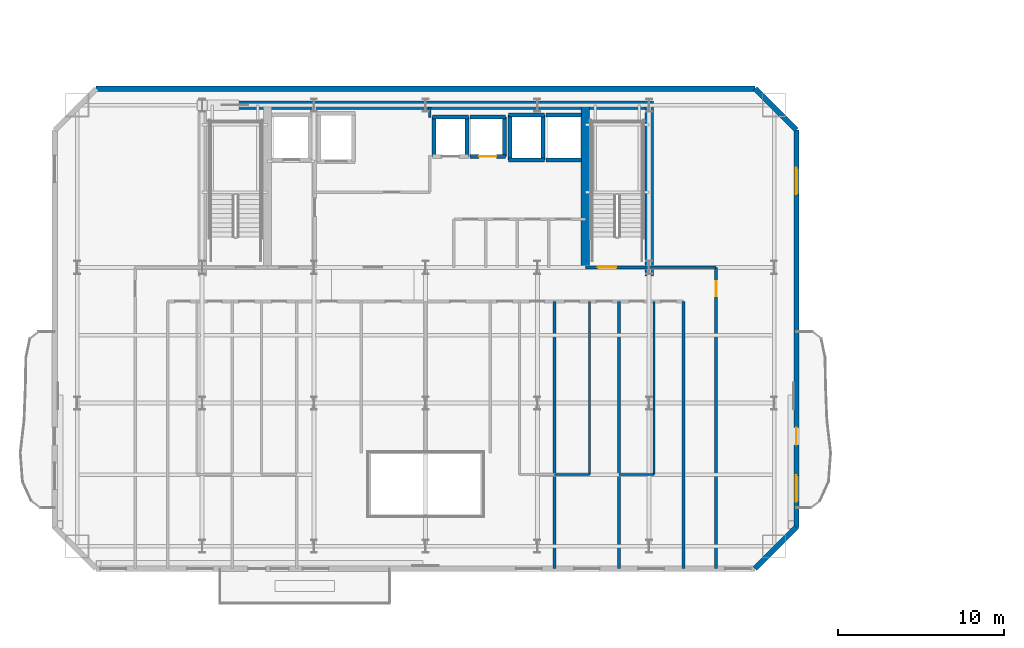
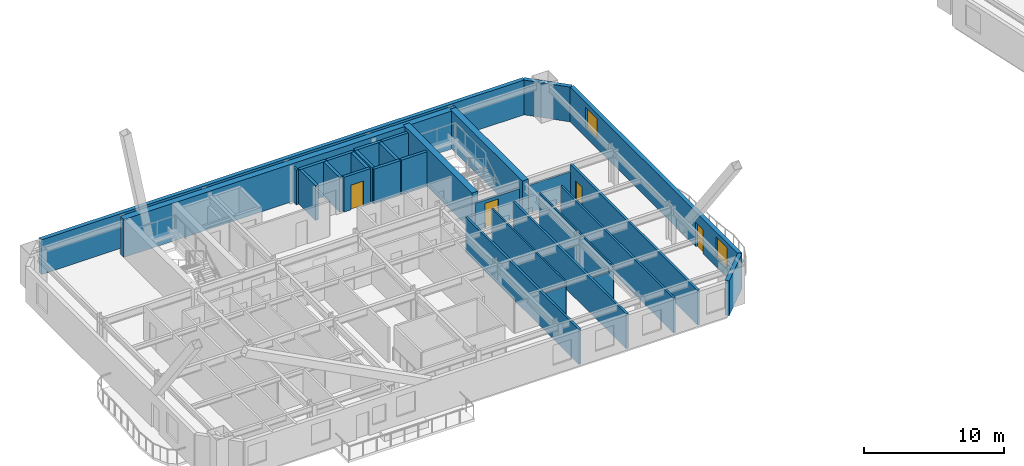
# One storey, part 7 of 14: 30 walls, 4 doors, 2 windows, 6 openings.
"""IFC4 building model written with IfcOpenShell, lengths in metres."""

from ifc_helpers import new_model, si_unit, direction, frame, frame_2d, origin, place, context, subcontext, project, spatial, rectangle, extrude, material, layer, layer_set, type_object, element, fill, save


model = new_model("IFC4")

# Units and contexts
model_context = context("Model", 3, precision=1e-05, world=origin(), true_north=direction((0.0, 1.0)))
body_context = subcontext(model_context, "Body", "Model", "MODEL_VIEW")
ifc_project = project(units=[si_unit("LENGTHUNIT", "METRE"), si_unit("AREAUNIT", "SQUARE_METRE"), si_unit("VOLUMEUNIT", "CUBIC_METRE"), si_unit("PLANEANGLEUNIT", "RADIAN"), si_unit("MASSUNIT", "GRAM", prefix="KILO")], contexts=[model_context])

# Site, building, storey
site_placement = place(None, origin())
site = spatial("IfcSite", under=ifc_project, at=site_placement, CompositionType="ELEMENT")
building_placement = place(site_placement, origin())
building = spatial("IfcBuilding", under=site, at=building_placement, Name="Haevon Station Towers", CompositionType="ELEMENT")
storey_placement = place(building_placement, frame((0.0, 0.0, 123.0)))
storey = spatial("IfcBuildingStorey", under=building, at=storey_placement, Name="L33", CompositionType="ELEMENT", Elevation=123.0)

# Wall, opening, door
ifc_material_1 = material(Name="Gypsum board on steel stud", Category="steel")
ifc_layer_1 = layer(ifc_material_1, 0.179931640625)
ifc_layer_set_1 = layer_set([ifc_layer_1], Name="Gypsum board on steel stud")
wall_type_1 = type_object("IfcWallType", Name="WL-ACU180", PredefinedType="PARTITIONING", material=ifc_layer_set_1)
wall_1_placement = place(storey_placement, frame((55.050048828125, 20.0, 0.0), z_axis=(0.0, 0.0, 1.0), x_axis=(0.0, 1.0, 0.0)))
wall_1 = element("IfcWall", 1, at=wall_1_placement, inside=storey, type_object=wall_type_1, Name="WL-T1PT-L33-06", PredefinedType="PARTITIONING", context=body_context, shape_type="SweptSolid", body=[
    extrude(rectangle(XDim=18.199951171875, YDim=0.179931640625, at=frame_2d((9.10009765625, 0.0))), origin(), (0.0, 0.0, 1.0), 3.030029296875),
])
opening_1_placement = place(wall_1_placement, frame((16.469970703125, 0.0, 0.0)))
opening_1 = element("IfcOpeningElement", 2, at=opening_1_placement, cuts=wall_1, Name="Opening DR-WL-T1PT-L33-06-01", PredefinedType="OPENING", context=body_context, shape_type="SweptSolid", body=[
    extrude(rectangle(XDim=0.89990234375, YDim=2.050048828125, at=frame_2d((0.449951171875, 1.02490234375))), frame((0.0, 0.099853515625, 0.0), z_axis=(0.0, -1.0, 0.0), x_axis=(1.0, 0.0, 0.0)), (0.0, 0.0, 1.0), 0.199951171875),
])
ifc_material_2 = material(Name="Engineered oak timber", Category="wood")
door_type_1 = type_object("IfcDoorType", Name="DR-INT-900", OperationType="NOTDEFINED", PredefinedType="DOOR", material=ifc_material_2)
door_1_placement = place(opening_1_placement, origin())
door_1 = element("IfcDoor", 3, at=door_1_placement, inside=storey, type_object=door_type_1, Name="L33 Tower 1 Room Door 6-1", OperationType="SINGLE_SWING_LEFT", OverallHeight=2.050048828125, OverallWidth=0.89990234375, PredefinedType="DOOR", context=body_context, shape_type="SweptSolid", body=[
    extrude(rectangle(XDim=0.89990234375, YDim=2.050048828125, at=frame_2d((0.449951171875, 1.02490234375))), frame((0.0, 0.02490234375, 0.0), z_axis=(0.0, -1.0, 0.0), x_axis=(1.0, 0.0, 0.0)), (0.0, 0.0, 1.0), 0.050048828125),
])
fill(opening_1, door_1)

# Walls
for number, where, z_axis, x_axis, name in (
    (4, (45.2900390625, 20.0, 0.0), (0.0, 0.0, 1.0), (0.0, 1.0, 0.0), "WL-T1PT-L33-24"),
    (5, (49.18505859375, 20.0, 0.0), (0.0, 0.0, 1.0), (0.0, 1.0, 0.0), "WL-T1PT-L33-27"),
):
    element("IfcWall", number, at=place(storey_placement, frame(where, z_axis=z_axis, x_axis=x_axis)), inside=storey, type_object=wall_type_1, Name=name, PredefinedType="PARTITIONING", context=body_context, shape_type="SweptSolid", body=[
        extrude(rectangle(XDim=16.14990234375, YDim=0.179931640625, at=frame_2d((8.074951171875, 0.0))), origin(), (0.0, 0.0, 1.0), 3.030029296875),
    ])

# Wall, opening, door
ifc_layer_2 = layer(ifc_material_1, 0.199951171875)
ifc_layer_set_2 = layer_set([ifc_layer_2], Name="Gypsum board on steel stud")
wall_type_2 = type_object("IfcWallType", Name="WL-COR200", PredefinedType="PARTITIONING", material=ifc_layer_set_2)
wall_2_placement = place(storey_placement, frame((47.14990234375, 38.199951171875, 0.0), z_axis=(0.0, 0.0, 1.0), x_axis=(1.0, 0.0, 0.0)))
wall_2 = element("IfcWall", 6, at=wall_2_placement, inside=storey, type_object=wall_type_2, Name="WL-ST-ST2-L33", PredefinedType="PARTITIONING", context=body_context, shape_type="SweptSolid", body=[
    extrude(rectangle(XDim=3.85009765625, YDim=0.199951171875, at=frame_2d((1.925048828125, 0.0))), origin(), (0.0, 0.0, 1.0), 2.3798828125),
])
opening_2_placement = place(wall_2_placement, frame((0.75, 0.0, 0.0)))
opening_2 = element("IfcOpeningElement", 7, at=opening_2_placement, cuts=wall_2, Name="Opening DR-ST-ST2-L33", PredefinedType="OPENING", context=body_context, shape_type="SweptSolid", body=[
    extrude(rectangle(XDim=1.1201171875, YDim=2.10009765625, at=frame_2d((0.56005859375, 1.050048828125))), frame((0.0, 0.10986328125, 0.0), z_axis=(0.0, -1.0, 0.0), x_axis=(1.0, 0.0, 0.0)), (0.0, 0.0, 1.0), 0.219970703125),
])
door_type_2 = type_object("IfcDoorType", Name="DR-ST-1120", OperationType="NOTDEFINED", PredefinedType="DOOR", material=ifc_material_2)
door_2_placement = place(opening_2_placement, origin())
door_2 = element("IfcDoor", 8, at=door_2_placement, inside=storey, type_object=door_type_2, Name="L33 Escape Stair ST2 Fire Door", OperationType="SINGLE_SWING_RIGHT", OverallHeight=2.10009765625, OverallWidth=1.1201171875, PredefinedType="DOOR", context=body_context, shape_type="SweptSolid", body=[
    extrude(rectangle(XDim=1.1201171875, YDim=2.10009765625, at=frame_2d((0.56005859375, 1.050048828125))), frame((0.0, 0.02490234375, 0.0), z_axis=(0.0, -1.0, 0.0), x_axis=(1.0, 0.0, 0.0)), (0.0, 0.0, 1.0), 0.050048828125),
])
fill(opening_2, door_2)

# Walls
ifc_material_3 = material(Name="Concrete C60/75", Category="concrete")
ifc_layer_3 = layer(ifc_material_3, 0.5)
ifc_layer_set_3 = layer_set([ifc_layer_3], Name="Concrete C60/75")
wall_type_3 = type_object("IfcWallType", Name="WL-CR500", PredefinedType="SHEAR", material=ifc_layer_set_3)
wall_3_placement = place(storey_placement, frame((23.75, 48.0, 0.0), z_axis=(0.0, 0.0, 1.0), x_axis=(1.0, 0.0, 0.0)))
element("IfcWall", 9, at=wall_3_placement, inside=storey, type_object=wall_type_3, Name="WL-T1CR-L33-N", PredefinedType="SHEAR", context=body_context, shape_type="SweptSolid", body=[
    extrude(rectangle(XDim=27.5, YDim=0.5, at=frame_2d((13.75, 0.0))), origin(), (0.0, 0.0, 1.0), 3.300048828125),
])
wall_4_placement = place(storey_placement, frame((51.0, 37.679931640625, 0.0), z_axis=(0.0, 0.0, 1.0), x_axis=(0.0, 1.0, 0.0)))
element("IfcWall", 10, at=wall_4_placement, inside=storey, type_object=wall_type_3, Name="WL-T1CR-L33-E", PredefinedType="SHEAR", context=body_context, shape_type="SweptSolid", body=[
    extrude(rectangle(XDim=10.320068359375, YDim=0.5, at=frame_2d((5.16015625, 0.0))), origin(), (0.0, 0.0, 1.0), 3.300048828125),
])
wall_5_placement = place(storey_placement, frame((47.14990234375, 38.199951171875, 0.0), z_axis=(0.0, 0.0, 1.0), x_axis=(0.0, 1.0, 0.0)))
element("IfcWall", 11, at=wall_5_placement, inside=storey, type_object=wall_type_3, Name="WL-T1CR-L33-M2", PredefinedType="SHEAR", context=body_context, shape_type="SweptSolid", body=[
    extrude(rectangle(XDim=9.800048828125, YDim=0.5, at=frame_2d((4.89990234375, 0.0))), origin(), (0.0, 0.0, 1.0), 3.300048828125),
])
ifc_material_4 = material(Name="Precast concrete C45/55", Category="concrete")
ifc_layer_4 = layer(ifc_material_4, 0.320068359375)
ifc_layer_set_4 = layer_set([ifc_layer_4], Name="Precast concrete C45/55")
wall_type_4 = type_object("IfcWallType", Name="WL-EXT-PIER320", PredefinedType="SOLIDWALL", material=ifc_layer_set_4)
wall_6_placement = place(storey_placement, frame((17.60009765625, 49.0, 0.0), z_axis=(0.0, 0.0, 1.0), x_axis=(1.0, 0.0, 0.0)))
element("IfcWall", 12, at=wall_6_placement, inside=storey, type_object=wall_type_4, Name="WL-T1-L33-N", PredefinedType="SOLIDWALL", context=body_context, shape_type="SweptSolid", body=[
    extrude(rectangle(XDim=39.7998046875, YDim=0.320068359375, at=frame_2d((19.89990234375, 0.0))), origin(), (0.0, 0.0, 1.0), 3.030029296875),
])
wall_7_placement = place(storey_placement, frame((57.39990234375, 49.0, 0.0), z_axis=(0.0, 0.0, 1.0), x_axis=(0.707106781187, -0.707106781187, 0.0)))
element("IfcWall", 13, at=wall_7_placement, inside=storey, type_object=wall_type_4, Name="WL-T1-L33-NEC", PredefinedType="SOLIDWALL", context=body_context, shape_type="SweptSolid", body=[
    extrude(rectangle(XDim=3.53564453125, YDim=0.320068359375, at=frame_2d((1.767822265625, 0.0))), origin(), (0.0, 0.0, 1.0), 3.030029296875),
])

# Wall, openings, door, windows
wall_8_placement = place(storey_placement, frame((59.89990234375, 46.5, 0.0), z_axis=(0.0, 0.0, 1.0), x_axis=(0.0, -1.0, 0.0)))
wall_8 = element("IfcWall", 14, at=wall_8_placement, inside=storey, type_object=wall_type_4, Name="WL-T1-L33-E", PredefinedType="SOLIDWALL", context=body_context, shape_type="SweptSolid", body=[
    extrude(rectangle(XDim=24.0, YDim=0.320068359375, at=frame_2d((12.0, 0.0))), origin(), (0.0, 0.0, 1.0), 3.030029296875),
])
opening_3_placement = place(wall_8_placement, frame((17.97509765625, 0.0, 0.0)))
opening_3 = element("IfcOpeningElement", 15, at=opening_3_placement, cuts=wall_8, Name="Opening DR-T1-SCAL-L33-E", PredefinedType="OPENING", context=body_context, shape_type="SweptSolid", body=[
    extrude(rectangle(XDim=1.050048828125, YDim=2.10009765625, at=frame_2d((0.52490234375, 1.050048828125))), frame((0.0, 0.169921875, 0.0), z_axis=(0.0, -1.0, 0.0), x_axis=(1.0, 0.0, 0.0)), (0.0, 0.0, 1.0), 0.340087890625),
])
opening_4_placement = place(wall_8_placement, frame((2.28564453125, 0.0, 0.800048828125)))
opening_4 = element("IfcOpeningElement", 16, at=opening_4_placement, cuts=wall_8, Name="Opening WN-END160", PredefinedType="OPENING", context=body_context, shape_type="SweptSolid", body=[
    extrude(rectangle(XDim=1.60009765625, YDim=1.800048828125, at=frame_2d((0.800048828125, 0.89990234375))), frame((0.0, 0.169921875, 0.0), z_axis=(0.0, -1.0, 0.0), x_axis=(1.0, 0.0, 0.0)), (0.0, 0.0, 1.0), 0.340087890625),
])
opening_5_placement = place(wall_8_placement, frame((20.857177734375, 0.0, 0.800048828125)))
opening_5 = element("IfcOpeningElement", 17, at=opening_5_placement, cuts=wall_8, Name="Opening WN-END160", PredefinedType="OPENING", context=body_context, shape_type="SweptSolid", body=[
    extrude(rectangle(XDim=1.60009765625, YDim=1.800048828125, at=frame_2d((0.800048828125, 0.89990234375))), frame((0.0, 0.169921875, 0.0), z_axis=(0.0, -1.0, 0.0), x_axis=(1.0, 0.0, 0.0)), (0.0, 0.0, 1.0), 0.340087890625),
])
ifc_material_5 = material(Name="Thermally broken anodised aluminium and laminated safety glass", Category="aluminium")
door_type_3 = type_object("IfcDoorType", Name="DR-BALC-1050", OperationType="NOTDEFINED", PredefinedType="DOOR", material=ifc_material_5)
door_3_placement = place(opening_3_placement, origin())
door_3 = element("IfcDoor", 18, at=door_3_placement, inside=storey, type_object=door_type_3, Name="Tower 1 L33 East Scalloped Balcony Door", OperationType="SINGLE_SWING_LEFT", OverallHeight=2.10009765625, OverallWidth=1.050048828125, PredefinedType="DOOR", context=body_context, shape_type="SweptSolid", body=[
    extrude(rectangle(XDim=1.050048828125, YDim=2.10009765625, at=frame_2d((0.52490234375, 1.050048828125))), frame((0.0, 0.02490234375, 0.0), z_axis=(0.0, -1.0, 0.0), x_axis=(1.0, 0.0, 0.0)), (0.0, 0.0, 1.0), 0.050048828125),
])
fill(opening_3, door_3)
ifc_material_6 = material(Name="Low-E triple glazing in thermally broken aluminium", Category="aluminium")
window_type = type_object("IfcWindowType", Name="WN-END160", PartitioningType="SINGLE_PANEL", PredefinedType="WINDOW", material=ifc_material_6)
window_1_placement = place(opening_4_placement, origin())
window_1 = element("IfcWindow", 19, at=window_1_placement, inside=storey, type_object=window_type, Name="WN-T1-L33-E01", OverallHeight=1.800048828125, OverallWidth=1.60009765625, PartitioningType="SINGLE_PANEL", PredefinedType="WINDOW", context=body_context, shape_type="SweptSolid", body=[
    extrude(rectangle(XDim=1.60009765625, YDim=1.800048828125, at=frame_2d((0.800048828125, 0.89990234375))), frame((0.0, 0.030029296875, 0.0), z_axis=(0.0, -1.0, 0.0), x_axis=(1.0, 0.0, 0.0)), (0.0, 0.0, 1.0), 0.06005859375),
])
fill(opening_4, window_1)
window_2_placement = place(opening_5_placement, origin())
window_2 = element("IfcWindow", 20, at=window_2_placement, inside=storey, type_object=window_type, Name="WN-T1-L33-E02", OverallHeight=1.800048828125, OverallWidth=1.60009765625, PartitioningType="SINGLE_PANEL", PredefinedType="WINDOW", context=body_context, shape_type="SweptSolid", body=[
    extrude(rectangle(XDim=1.60009765625, YDim=1.800048828125, at=frame_2d((0.800048828125, 0.89990234375))), frame((0.0, 0.030029296875, 0.0), z_axis=(0.0, -1.0, 0.0), x_axis=(1.0, 0.0, 0.0)), (0.0, 0.0, 1.0), 0.06005859375),
])
fill(opening_5, window_2)

# Walls
wall_9_placement = place(storey_placement, frame((59.89990234375, 22.5, 0.0), z_axis=(0.0, 0.0, 1.0), x_axis=(-0.707106781187, -0.707106781187, 0.0)))
element("IfcWall", 21, at=wall_9_placement, inside=storey, type_object=wall_type_4, Name="WL-T1-L33-SEC", PredefinedType="SOLIDWALL", context=body_context, shape_type="SweptSolid", body=[
    extrude(rectangle(XDim=3.53564453125, YDim=0.320068359375, at=frame_2d((1.767822265625, 0.0))), origin(), (0.0, 0.0, 1.0), 3.030029296875),
])
ifc_layer_5 = layer(ifc_material_1, 0.125)
ifc_layer_set_5 = layer_set([ifc_layer_5], Name="Gypsum board on steel stud")
wall_type_5 = type_object("IfcWallType", Name="WL-PRT125", PredefinedType="PARTITIONING", material=ifc_layer_set_5)
wall_10_placement = place(storey_placement, frame((45.2900390625, 25.697021484375, 0.0), z_axis=(0.0, 0.0, 1.0), x_axis=(1.0, 0.0, 0.0)))
element("IfcWall", 22, at=wall_10_placement, inside=storey, type_object=wall_type_5, Name="WL-T1PT-L33-25", PredefinedType="PARTITIONING", context=body_context, shape_type="SweptSolid", body=[
    extrude(rectangle(XDim=2.114990234375, YDim=0.125, at=frame_2d((1.0576171875, 0.0))), origin(), (0.0, 0.0, 1.0), 2.6298828125),
])
wall_11_placement = place(storey_placement, frame((47.405029296875, 25.697021484375, 0.0), z_axis=(0.0, 0.0, 1.0), x_axis=(0.0, 1.0, 0.0)))
element("IfcWall", 23, at=wall_11_placement, inside=storey, type_object=wall_type_5, Name="WL-T1PT-L33-26", PredefinedType="PARTITIONING", context=body_context, shape_type="SweptSolid", body=[
    extrude(rectangle(XDim=10.452880859375, YDim=0.125, at=frame_2d((5.2265625, 0.0))), origin(), (0.0, 0.0, 1.0), 3.030029296875),
])
wall_12_placement = place(storey_placement, frame((49.18505859375, 25.697021484375, 0.0), z_axis=(0.0, 0.0, 1.0), x_axis=(1.0, 0.0, 0.0)))
element("IfcWall", 24, at=wall_12_placement, inside=storey, type_object=wall_type_5, Name="WL-T1PT-L33-28", PredefinedType="PARTITIONING", context=body_context, shape_type="SweptSolid", body=[
    extrude(rectangle(XDim=2.114990234375, YDim=0.125, at=frame_2d((1.0576171875, 0.0))), origin(), (0.0, 0.0, 1.0), 2.6298828125),
])
wall_13_placement = place(storey_placement, frame((51.300048828125, 25.697021484375, 0.0), z_axis=(0.0, 0.0, 1.0), x_axis=(0.0, 1.0, 0.0)))
element("IfcWall", 25, at=wall_13_placement, inside=storey, type_object=wall_type_5, Name="WL-T1PT-L33-29", PredefinedType="PARTITIONING", context=body_context, shape_type="SweptSolid", body=[
    extrude(rectangle(XDim=10.452880859375, YDim=0.125, at=frame_2d((5.2265625, 0.0))), origin(), (0.0, 0.0, 1.0), 3.030029296875),
])
ifc_layer_6 = layer(ifc_material_1, 0.159912109375)
ifc_layer_set_6 = layer_set([ifc_layer_6], Name="Gypsum board on steel stud")
wall_type_6 = type_object("IfcWallType", Name="WL-PRT160", PredefinedType="PARTITIONING", material=ifc_layer_set_6)
wall_14_placement = place(storey_placement, frame((37.75, 47.25, 0.0), z_axis=(0.0, 0.0, 1.0), x_axis=(0.0, 1.0, 0.0)))
element("IfcWall", 26, at=wall_14_placement, inside=storey, type_object=wall_type_6, Name="WL-T1CW-L33-03", PredefinedType="PARTITIONING", context=body_context, shape_type="SweptSolid", body=[
    extrude(rectangle(XDim=0.64990234375, YDim=0.159912109375, at=frame_2d((0.324951171875, 0.0))), origin(), (0.0, 0.0, 1.0), 3.030029296875),
])
wall_15_placement = place(storey_placement, frame((53.080078125, 20.0, 0.0), z_axis=(0.0, 0.0, 1.0), x_axis=(0.0, 1.0, 0.0)))
element("IfcWall", 27, at=wall_15_placement, inside=storey, type_object=wall_type_6, Name="WL-T1PT-L33-02", PredefinedType="PARTITIONING", context=body_context, shape_type="SweptSolid", body=[
    extrude(rectangle(XDim=16.14990234375, YDim=0.159912109375, at=frame_2d((8.074951171875, 0.0))), origin(), (0.0, 0.0, 1.0), 3.030029296875),
])
wall_16_placement = place(storey_placement, frame((51.0, 38.199951171875, 0.0), z_axis=(0.0, 0.0, 1.0), x_axis=(1.0, 0.0, 0.0)))
element("IfcWall", 28, at=wall_16_placement, inside=storey, type_object=wall_type_6, Name="WL-T1PT-L33-04", PredefinedType="PARTITIONING", context=body_context, shape_type="SweptSolid", body=[
    extrude(rectangle(XDim=4.050048828125, YDim=0.159912109375, at=frame_2d((2.02490234375, 0.0))), origin(), (0.0, 0.0, 1.0), 2.3798828125),
])
ifc_material_7 = material(Name="Concrete C40/50", Category="concrete")
ifc_layer_7 = layer(ifc_material_7, 0.239990234375)
ifc_layer_set_7 = layer_set([ifc_layer_7], Name="Concrete C40/50")
wall_type_7 = type_object("IfcWallType", Name="WL-SHF240", PredefinedType="PARTITIONING", material=ifc_layer_set_7)
wall_17_placement = place(storey_placement, frame((37.919921875, 47.300048828125, 0.0), z_axis=(0.0, 0.0, 1.0), x_axis=(1.0, 0.0, 0.0)))
element("IfcWall", 29, at=wall_17_placement, inside=storey, type_object=wall_type_7, Name="WL-SHF-PL3-L33-N", PredefinedType="PARTITIONING", context=body_context, shape_type="SweptSolid", body=[
    extrude(rectangle(XDim=2.16015625, YDim=0.239990234375, at=frame_2d((1.080078125, 0.0))), origin(), (0.0, 0.0, 1.0), 3.030029296875),
])
for number, where, z_axis, x_axis, name in (
    (30, (38.0, 44.89990234375, 0.0), (0.0, 0.0, 1.0), (0.0, 1.0, 0.0), "WL-SHF-PL3-L33-W"),
    (31, (40.0, 44.89990234375, 0.0), (0.0, 0.0, 1.0), (0.0, 1.0, 0.0), "WL-SHF-PL3-L33-E"),
):
    element("IfcWall", number, at=place(storey_placement, frame(where, z_axis=z_axis, x_axis=x_axis)), inside=storey, type_object=wall_type_7, Name=name, PredefinedType="PARTITIONING", context=body_context, shape_type="SweptSolid", body=[
        extrude(rectangle(XDim=2.400146484375, YDim=0.239990234375, at=frame_2d((1.2001953125, 0.0))), origin(), (0.0, 0.0, 1.0), 3.030029296875),
    ])

# Wall, opening, door
wall_18_placement = place(storey_placement, frame((40.169921875, 44.89990234375, 0.0), z_axis=(0.0, 0.0, 1.0), x_axis=(1.0, 0.0, 0.0)))
wall_18 = element("IfcWall", 32, at=wall_18_placement, inside=storey, type_object=wall_type_7, Name="WL-SHF-PL4-L33", PredefinedType="PARTITIONING", context=body_context, shape_type="SweptSolid", body=[
    extrude(rectangle(XDim=2.16015625, YDim=0.239990234375, at=frame_2d((1.080078125, 0.0))), origin(), (0.0, 0.0, 1.0), 3.030029296875),
])
opening_6_placement = place(wall_18_placement, frame((0.554931640625, 0.0, 0.0)))
opening_6 = element("IfcOpeningElement", 33, at=opening_6_placement, cuts=wall_18, Name="Opening LD-PL4-L33", PredefinedType="OPENING", context=body_context, shape_type="SweptSolid", body=[
    extrude(rectangle(XDim=1.050048828125, YDim=2.14990234375, at=frame_2d((0.52490234375, 1.074951171875))), frame((0.0, 0.1298828125, 0.0), z_axis=(0.0, -1.0, 0.0), x_axis=(1.0, 0.0, 0.0)), (0.0, 0.0, 1.0), 0.260009765625),
])
ifc_material_8 = material(Name="Stainless steel and rated core", Category="steel")
door_type_4 = type_object("IfcDoorType", Name="LD-PL1050", OperationType="SLIDING_TO_LEFT", PredefinedType="DOOR", material=ifc_material_8)
door_4_placement = place(opening_6_placement, origin())
door_4 = element("IfcDoor", 34, at=door_4_placement, inside=storey, type_object=door_type_4, Name="L33 Lift PL4 Sliding Landing Door", OperationType="SLIDING_TO_LEFT", OverallHeight=2.14990234375, OverallWidth=1.050048828125, PredefinedType="DOOR", context=body_context, shape_type="SweptSolid", body=[
    extrude(rectangle(XDim=1.050048828125, YDim=2.14990234375, at=frame_2d((0.52490234375, 1.074951171875))), frame((0.0, 0.02490234375, 0.0), z_axis=(0.0, -1.0, 0.0), x_axis=(1.0, 0.0, 0.0)), (0.0, 0.0, 1.0), 0.050048828125),
])
fill(opening_6, door_4)

# Walls
wall_19_placement = place(storey_placement, frame((40.169921875, 47.300048828125, 0.0), z_axis=(0.0, 0.0, 1.0), x_axis=(1.0, 0.0, 0.0)))
element("IfcWall", 35, at=wall_19_placement, inside=storey, type_object=wall_type_7, Name="WL-SHF-PL4-L33-N", PredefinedType="PARTITIONING", context=body_context, shape_type="SweptSolid", body=[
    extrude(rectangle(XDim=2.16015625, YDim=0.239990234375, at=frame_2d((1.080078125, 0.0))), origin(), (0.0, 0.0, 1.0), 3.030029296875),
])
wall_20_placement = place(storey_placement, frame((42.25, 44.89990234375, 0.0), z_axis=(0.0, 0.0, 1.0), x_axis=(0.0, 1.0, 0.0)))
element("IfcWall", 36, at=wall_20_placement, inside=storey, type_object=wall_type_7, Name="WL-SHF-PL4-L33-E", PredefinedType="PARTITIONING", context=body_context, shape_type="SweptSolid", body=[
    extrude(rectangle(XDim=2.400146484375, YDim=0.239990234375, at=frame_2d((1.2001953125, 0.0))), origin(), (0.0, 0.0, 1.0), 3.030029296875),
])
for number, where, z_axis, x_axis, name in (
    (37, (42.52001953125, 44.699951171875, 0.0), (0.0, 0.0, 1.0), (1.0, 0.0, 0.0), "WL-SHF-PL5-L33"),
    (38, (42.52001953125, 47.39990234375, 0.0), (0.0, 0.0, 1.0), (1.0, 0.0, 0.0), "WL-SHF-PL5-L33-N"),
):
    element("IfcWall", number, at=place(storey_placement, frame(where, z_axis=z_axis, x_axis=x_axis)), inside=storey, type_object=wall_type_7, Name=name, PredefinedType="PARTITIONING", context=body_context, shape_type="SweptSolid", body=[
        extrude(rectangle(XDim=2.159912109375, YDim=0.239990234375, at=frame_2d((1.080078125, 0.0))), origin(), (0.0, 0.0, 1.0), 3.030029296875),
    ])
for number, where, z_axis, x_axis, name in (
    (39, (42.60009765625, 44.699951171875, 0.0), (0.0, 0.0, 1.0), (0.0, 1.0, 0.0), "WL-SHF-PL5-L33-W"),
    (40, (44.60009765625, 44.699951171875, 0.0), (0.0, 0.0, 1.0), (0.0, 1.0, 0.0), "WL-SHF-PL5-L33-E"),
):
    element("IfcWall", number, at=place(storey_placement, frame(where, z_axis=z_axis, x_axis=x_axis)), inside=storey, type_object=wall_type_7, Name=name, PredefinedType="PARTITIONING", context=body_context, shape_type="SweptSolid", body=[
        extrude(rectangle(XDim=2.699951171875, YDim=0.239990234375, at=frame_2d((1.35009765625, 0.0))), origin(), (0.0, 0.0, 1.0), 3.030029296875),
    ])
for number, where, z_axis, x_axis, name in (
    (41, (44.77001953125, 44.699951171875, 0.0), (0.0, 0.0, 1.0), (1.0, 0.0, 0.0), "WL-SHF-PL6-L33"),
    (42, (44.77001953125, 47.39990234375, 0.0), (0.0, 0.0, 1.0), (1.0, 0.0, 0.0), "WL-SHF-PL6-L33-N"),
):
    element("IfcWall", number, at=place(storey_placement, frame(where, z_axis=z_axis, x_axis=x_axis)), inside=storey, type_object=wall_type_7, Name=name, PredefinedType="PARTITIONING", context=body_context, shape_type="SweptSolid", body=[
        extrude(rectangle(XDim=2.159912109375, YDim=0.239990234375, at=frame_2d((1.080078125, 0.0))), origin(), (0.0, 0.0, 1.0), 3.030029296875),
    ])

save(model, "model.ifc")
